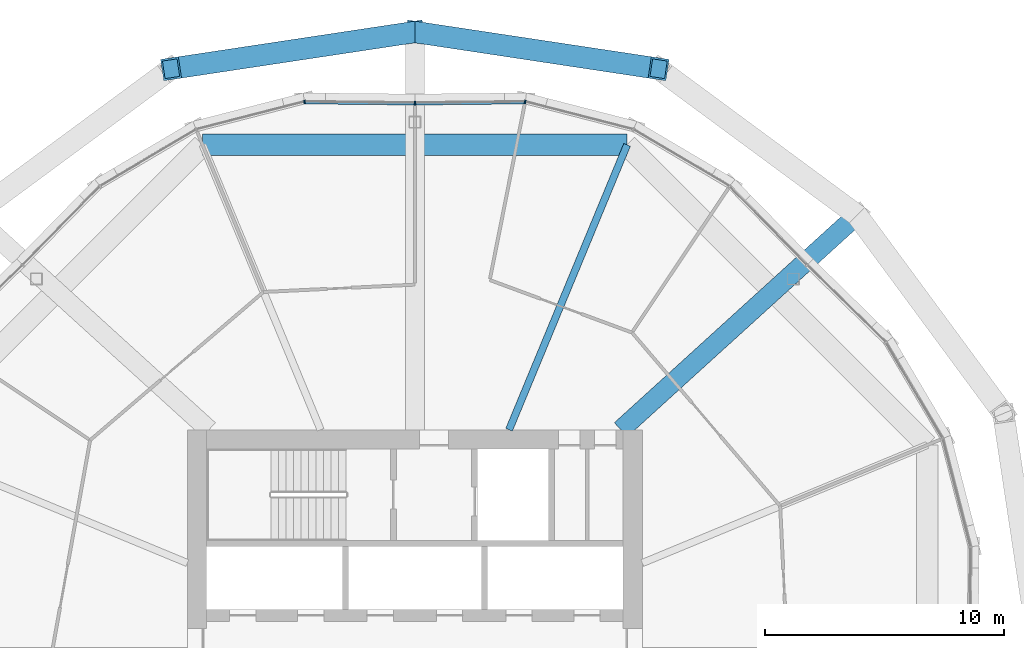
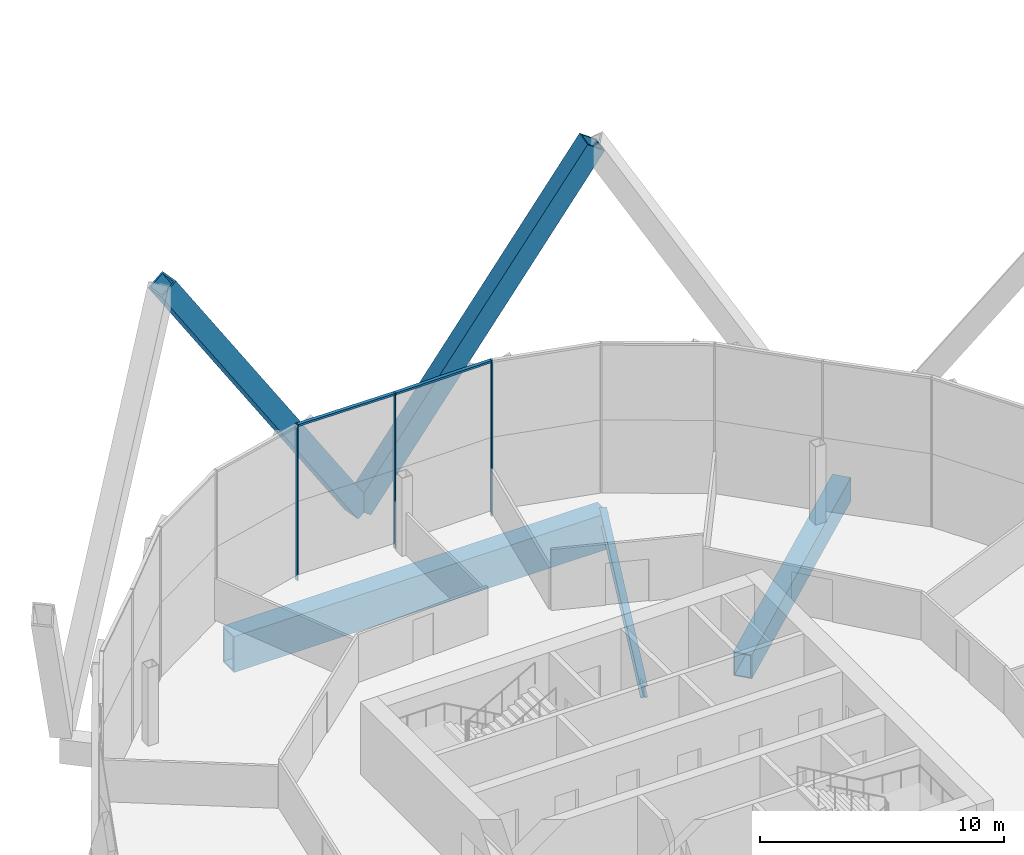
# One storey, part 9 of 28: 7 members, 3 beams, 2 elements without a shape of their own.
"""IFC4 building model written with IfcOpenShell, lengths in metres."""

from ifc_helpers import new_model, si_unit, direction, frame, origin, origin_2d, place, context, subcontext, project, spatial, rectangle, hollow_rectangle, i_section, extrude, material, material_profile, profile_set, type_object, element, aggregate, save


model = new_model("IFC4")

# Units and contexts
model_context = context("Model", 3, precision=1e-05, world=origin(), true_north=direction((0.0, 1.0)))
body_context = subcontext(model_context, "Body", "Model", "MODEL_VIEW")
ifc_project = project(units=[si_unit("LENGTHUNIT", "METRE"), si_unit("AREAUNIT", "SQUARE_METRE"), si_unit("VOLUMEUNIT", "CUBIC_METRE"), si_unit("PLANEANGLEUNIT", "RADIAN"), si_unit("MASSUNIT", "GRAM", prefix="KILO")], contexts=[model_context])

# Site, building, storey
site_placement = place(None, origin())
site = spatial("IfcSite", under=ifc_project, at=site_placement, CompositionType="ELEMENT")
building_placement = place(site_placement, origin())
building = spatial("IfcBuilding", under=site, at=building_placement, Name="Ogive Gate Towers", CompositionType="ELEMENT")
storey_placement = place(building_placement, frame((0.0, 0.0, 115.199951171875)))
storey = spatial("IfcBuildingStorey", under=building, at=storey_placement, Name="L27", CompositionType="ELEMENT", Elevation=115.199951171875)

# Members
ifc_material_1 = material(Name="Steel SM460", Category="steel")
ifc_material_profile_1 = material_profile(ifc_material_1, hollow_rectangle(XDim=0.89990234375, YDim=0.89990234375, WallThickness=0.080078125, at=origin_2d()), Name="BX 900x900x80")
ifc_profile_set_1 = profile_set([ifc_material_profile_1], Name="Steel SM460")
member_type_1 = type_object("IfcMemberType", Name="Diagrid diagonal BX 900x900x80", PredefinedType="BRACE", material=ifc_profile_set_1)
for number, where, z_axis, x_axis, name in (
    (1, (-36.0, 26.110107421875, 0.0), (0.544627829519, -0.082121961007, 0.834647536889), (0.149100004323, 0.988822121876, 0.0), "T1/L27/SDG005"),
    (2, (-36.0, 26.110107421875, 0.0), (-0.544627829519, -0.082121961007, 0.834647536889), (0.149100004323, -0.988822121876, 0.0), "T1/L27/SDG006"),
):
    element("IfcMember", number, at=place(storey_placement, frame(where, z_axis=z_axis, x_axis=x_axis)), inside=storey, type_object=member_type_1, Name=name, PredefinedType="BRACE", context=body_context, shape_type="SweptSolid", body=[
        extrude(hollow_rectangle(XDim=0.89990234375, YDim=0.89990234375, WallThickness=0.080078125, at=origin_2d()), origin(), (0.0, 0.0, 1.0), 18.690673828125),
    ])

# Beams
ifc_material_profile_2 = material_profile(ifc_material_1, hollow_rectangle(XDim=0.89990234375, YDim=1.800048828125, WallThickness=0.080078125, at=origin_2d()), Name="BX 1800x900x80")
ifc_profile_set_2 = profile_set([ifc_material_profile_2], Name="Steel SM460")
beam_type_1 = type_object("IfcBeamType", Name="Edge girder BX 1800x900x80", PredefinedType="BEAM", material=ifc_profile_set_2)
beam_1_placement = place(storey_placement, frame((-27.136962890625, 21.39697265625, -1.199951171875), z_axis=(-1.0, 0.0, 0.0), x_axis=(0.0, -1.0, 0.0)))
element("IfcBeam", 3, at=beam_1_placement, inside=storey, type_object=beam_type_1, Name="T1/L27/SBM022", PredefinedType="BEAM", context=body_context, shape_type="SweptSolid", body=[
    extrude(hollow_rectangle(XDim=0.89990234375, YDim=1.800048828125, WallThickness=0.080078125, at=origin_2d()), origin(), (0.0, 0.0, 1.0), 17.72607421875),
])
ifc_material_2 = material(Name="Steel SM355", Category="steel")
ifc_material_profile_3 = material_profile(ifc_material_2, i_section(OverallWidth=0.300048828125, OverallDepth=0.590087890625, WebThickness=0.012939453125, FlangeThickness=0.02490234375, FilletRadius=0.027099609375, at=origin_2d()), Name="HE 600 A")
ifc_profile_set_3 = profile_set([ifc_material_profile_3], Name="Steel SM355")
beam_type_2 = type_object("IfcBeamType", Name="Radial floor beam HE 600 A", PredefinedType="BEAM", material=ifc_profile_set_3)
beam_2_placement = place(storey_placement, frame((-32.06494140625, 9.5, -0.594970703125), z_axis=(0.382689470177, 0.923877031545, 0.0), x_axis=(-0.923877031545, 0.382689470177, 0.0)))
element("IfcBeam", 4, at=beam_2_placement, inside=storey, type_object=beam_type_2, Name="T1/L27/SBM011", PredefinedType="BEAM", context=body_context, shape_type="SweptSolid", body=[
    extrude(i_section(OverallWidth=0.300048828125, OverallDepth=0.590087890625, WebThickness=0.012939453125, FlangeThickness=0.02490234375, FilletRadius=0.027099609375, at=origin_2d()), origin(), (0.0, 0.0, 1.0), 12.877197265625),
])

# Curtain wall, members
ifc_material_3 = material(Name="Pale metal aluminium", Category="aluminium")
curtain_wall_type = type_object("IfcCurtainWallType", Name="Tower unitised wall, low zone", PredefinedType="NOTDEFINED", material=ifc_material_3)
curtain_wall_1_placement = place(storey_placement, origin())
curtain_wall_1 = element("IfcCurtainWall", 5, at=curtain_wall_1_placement, inside=storey, type_object=curtain_wall_type, Name="CW1 T1 ECW02", PredefinedType="NOTDEFINED")
ifc_material_profile_4 = material_profile(ifc_material_3, rectangle(XDim=0.159912109375, YDim=0.06005859375, at=origin_2d()), Name="60 x 160 aluminium box")
ifc_profile_set_4 = profile_set([ifc_material_profile_4], Name="Pale metal aluminium")
member_type_2 = type_object("IfcMemberType", Name="Tower unitised wall, low zone mullion 60 x 160", PredefinedType="MULLION", material=ifc_profile_set_4)
member_1_placement = place(storey_placement, frame((-31.393798828125, 23.1875, -0.300048828125), z_axis=(0.0, 0.0, 1.0), x_axis=(0.120379411626, 0.992727957326, 0.0)))
member_1 = element("IfcMember", 6, at=member_1_placement, type_object=member_type_2, Name="CW1 mullion", PredefinedType="MULLION", context=body_context, shape_type="SweptSolid", body=[
    extrude(rectangle(XDim=0.159912109375, YDim=0.06005859375, at=origin_2d()), origin(), (0.0, 0.0, 1.0), 7.800048828125),
])
member_2_placement = place(storey_placement, frame((-35.999755859375, 23.139892578125, -0.300048828125), z_axis=(0.0, 0.0, 1.0), x_axis=(-0.010279808233, 0.999947161375, 0.0)))
member_2 = element("IfcMember", 7, at=member_2_placement, type_object=member_type_2, Name="CW1 mullion", PredefinedType="MULLION", context=body_context, shape_type="SweptSolid", body=[
    extrude(rectangle(XDim=0.159912109375, YDim=0.06005859375, at=origin_2d()), origin(), (0.0, 0.0, 1.0), 7.800048828125),
])

# Curtain wall, member
curtain_wall_2_placement = place(storey_placement, origin())
curtain_wall_2 = element("IfcCurtainWall", 8, at=curtain_wall_2_placement, inside=storey, type_object=curtain_wall_type, Name="CW1 T1 ECW03", PredefinedType="NOTDEFINED")
member_3_placement = place(storey_placement, frame((-40.606201171875, 23.1875, -0.300048828125), z_axis=(0.0, 0.0, 1.0), x_axis=(-0.120379411626, 0.992727957326, 0.0)))
member_3 = element("IfcMember", 9, at=member_3_placement, type_object=member_type_2, Name="CW1 mullion", PredefinedType="MULLION", context=body_context, shape_type="SweptSolid", body=[
    extrude(rectangle(XDim=0.159912109375, YDim=0.06005859375, at=origin_2d()), origin(), (0.0, 0.0, 1.0), 7.800048828125),
])

# Member
ifc_material_profile_5 = material_profile(ifc_material_3, rectangle(XDim=0.159912109375, YDim=0.10009765625, at=origin_2d()), Name="100 x 160 aluminium box")
ifc_profile_set_5 = profile_set([ifc_material_profile_5], Name="Pale metal aluminium")
member_type_3 = type_object("IfcMemberType", Name="Tower unitised wall, low zone transom 100 x 160", PredefinedType="USERDEFINED", material=ifc_profile_set_5)
member_4_placement = place(storey_placement, frame((-31.42138671875, 23.18701171875, 7.449951171875), z_axis=(-0.999947449507, -0.010251742504, 0.0), x_axis=(0.010251742504, -0.999947449507, 0.0)))
member_4 = element("IfcMember", 10, at=member_4_placement, type_object=member_type_3, Name="CW1 transom", ObjectType="TRANSOM", PredefinedType="USERDEFINED", context=body_context, shape_type="SweptSolid", body=[
    extrude(rectangle(XDim=0.159912109375, YDim=0.10009765625, at=origin_2d()), origin(), (0.0, 0.0, 1.0), 4.548583984375),
])

aggregate(curtain_wall_1, [member_1, member_2, member_4])

member_5_placement = place(storey_placement, frame((-36.0302734375, 23.140380859375, 7.449951171875), z_axis=(-0.999947449507, 0.010251742504, 0.0), x_axis=(-0.010251742504, -0.999947449507, 0.0)))
member_5 = element("IfcMember", 11, at=member_5_placement, type_object=member_type_3, Name="CW1 transom", ObjectType="TRANSOM", PredefinedType="USERDEFINED", context=body_context, shape_type="SweptSolid", body=[
    extrude(rectangle(XDim=0.159912109375, YDim=0.10009765625, at=origin_2d()), origin(), (0.0, 0.0, 1.0), 4.548583984375),
])

aggregate(curtain_wall_2, [member_3, member_5])

# Beam
ifc_material_profile_6 = material_profile(ifc_material_1, hollow_rectangle(XDim=0.800048828125, YDim=1.199951171875, WallThickness=0.050048828125, at=origin_2d()), Name="BX 1200x800x50")
ifc_profile_set_6 = profile_set([ifc_material_profile_6], Name="Steel SM460")
beam_type_3 = type_object("IfcBeamType", Name="Transfer radial beam BX 1200x800x50", PredefinedType="BEAM", material=ifc_profile_set_6)
beam_3_placement = place(storey_placement, frame((-27.39990234375, 9.5, -0.89990234375), z_axis=(0.740063574275, 0.672536917969, 0.0), x_axis=(-0.672536917969, 0.740063574275, 0.0)))
element("IfcBeam", 12, at=beam_3_placement, inside=storey, type_object=beam_type_3, Name="T1/L27/SBM010", PredefinedType="BEAM", context=body_context, shape_type="SweptSolid", body=[
    extrude(hollow_rectangle(XDim=0.800048828125, YDim=1.199951171875, WallThickness=0.050048828125, at=origin_2d()), origin(), (0.0, 0.0, 1.0), 13.32666015625),
])

save(model, "model.ifc")
